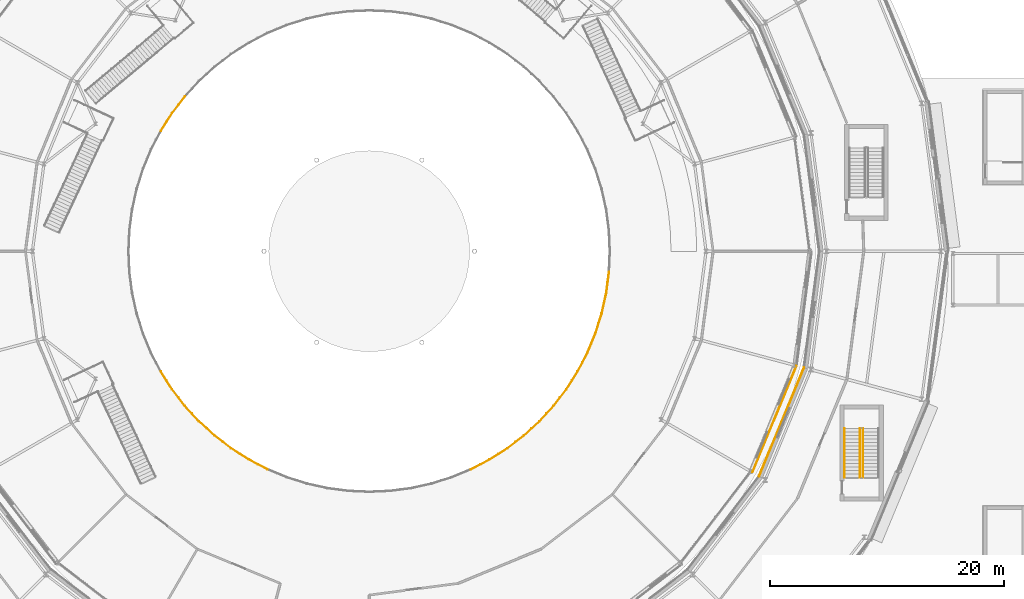
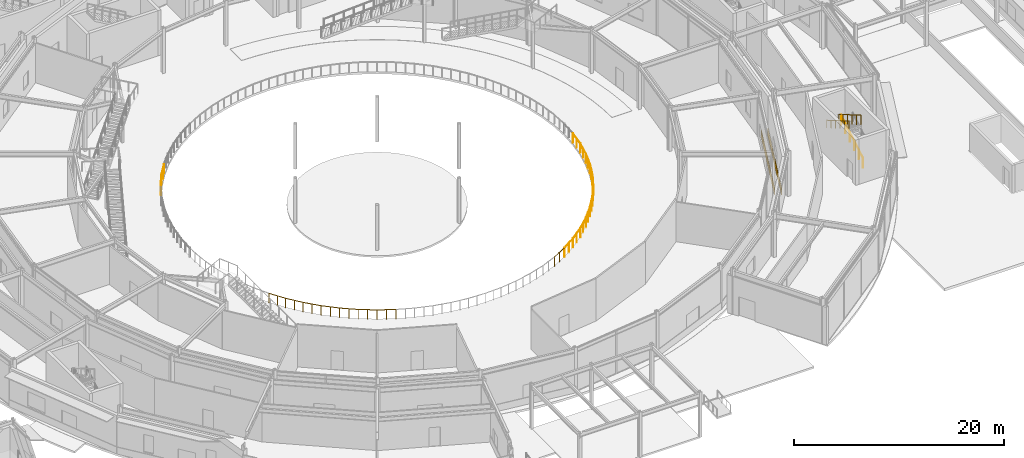
# One storey, part 149 of 168: 24 railings, 2 coverings.
"""IFC4 building model written with IfcOpenShell, lengths in metres."""

import ifcopenshell
import ifcopenshell.guid

model = None  # the IFC model being written
_history = None  # IfcOwnerHistory: only IFC2X3 demands one
_inside = {}  # id of a spatial element -> (the spatial element, [elements in it])
_under = {}  # id of a project, library or spatial element -> (it, [spatial elements below it])
_declared = {}  # id of a project -> (the project, [libraries it declares])
_typed = {}  # id of a type object -> (the type object, [elements of that type])
_made_of = {}  # id of a material, layer set ... -> (it, [elements and type objects made of it])


def new_model(schema):
    """Start an empty IFC model of exactly this schema.

    Asked for "IFC4X3", IfcOpenShell would pick the latest addendum, in which some entities
    have other attributes; the version numbers below select the first issue.
    IFC2X3 requires an IfcOwnerHistory on every rooted entity: one is made here for all.
    """
    global model, _history
    if schema == "IFC4X3":
        model = ifcopenshell.file(schema_version=(4, 3, 0, 0))
    else:
        model = ifcopenshell.file(schema=schema)
    _inside.clear()
    _under.clear()
    _declared.clear()
    _typed.clear()
    _made_of.clear()
    _history = None
    if model.schema == "IFC2X3":
        org = make("IfcOrganization", Name="unknown")
        user = make(
            "IfcPersonAndOrganization",
            ThePerson=make("IfcPerson", FamilyName="unknown"),
            TheOrganization=org,
        )
        app = make(
            "IfcApplication",
            ApplicationDeveloper=org,
            Version="unknown",
            ApplicationFullName="unknown",
            ApplicationIdentifier="unknown",
        )
        _history = make(
            "IfcOwnerHistory",
            OwningUser=user,
            OwningApplication=app,
            ChangeAction="ADDED",
            CreationDate=0,
        )
    return model


def make(cls, **values):
    """One entity of the class cls with the attributes given. An attribute that is None is left unset."""
    return model.create_entity(
        cls, **{name: value for name, value in values.items() if value is not None}
    )


def rooted(cls, **values):
    """An entity with a GlobalId (a new one), such as an element, a storey or a relation."""
    return make(cls, GlobalId=ifcopenshell.guid.new(), OwnerHistory=_history, **values)


def si_unit(unit_type, name, prefix=None):
    """IfcSIUnit, for example si_unit("LENGTHUNIT", "METRE", prefix="MILLI")."""
    return make("IfcSIUnit", UnitType=unit_type, Prefix=prefix, Name=name)


def assignment(units):
    """IfcUnitAssignment: the units of a project."""
    return None if units is None else make("IfcUnitAssignment", Units=units)


def point(xyz):
    """IfcCartesianPoint."""
    return None if xyz is None else make("IfcCartesianPoint", Coordinates=xyz)


def direction(xyz):
    """IfcDirection."""
    return None if xyz is None else make("IfcDirection", DirectionRatios=xyz)


def frame(location, z_axis=None, x_axis=None):
    """IfcAxis2Placement3D, a coordinate frame: its origin and axes. An axis left out is left unset."""
    return make(
        "IfcAxis2Placement3D",
        Location=point(location),
        Axis=direction(z_axis),
        RefDirection=direction(x_axis),
    )


def frame_2d(location, x_axis=None):
    """IfcAxis2Placement2D, a coordinate frame in the plane: its origin and x axis."""
    return make(
        "IfcAxis2Placement2D", Location=point(location), RefDirection=direction(x_axis)
    )


def origin():
    """The frame at (0, 0, 0) with its axes left unset."""
    return frame((0.0, 0.0, 0.0))


def origin_2d():
    """The frame at (0, 0) in the plane with its x axis left unset."""
    return frame_2d((0.0, 0.0))


def place(relative_to, where):
    """IfcLocalPlacement: puts the frame where relative to a parent placement (None: the world)."""
    return make(
        "IfcLocalPlacement", PlacementRelTo=relative_to, RelativePlacement=where
    )


def context(
    kind, dimensions, precision=None, world=None, true_north=None, identifier=None
):
    """IfcGeometricRepresentationContext, for example the 3D "Model" context."""
    return make(
        "IfcGeometricRepresentationContext",
        ContextIdentifier=identifier,
        ContextType=kind,
        CoordinateSpaceDimension=dimensions,
        Precision=precision,
        WorldCoordinateSystem=world,
        TrueNorth=true_north,
    )


def subcontext(parent, identifier, kind, view, scale=None):
    """IfcGeometricRepresentationSubContext, for example "Body" below "Model"."""
    return make(
        "IfcGeometricRepresentationSubContext",
        ContextIdentifier=identifier,
        ContextType=kind,
        ParentContext=parent,
        TargetScale=scale,
        TargetView=view,
    )


def project(units=None, contexts=None):
    """IfcProject with its units and contexts."""
    return rooted(
        "IfcProject",
        Name="project",
        RepresentationContexts=contexts,
        UnitsInContext=assignment(units),
    )


def spatial(cls, under=None, at=None, **own):
    """A site, building, storey or space (cls), placed at a placement, below another one or the project."""
    s = rooted(cls, ObjectPlacement=at, **own)
    if under is not None:
        _under.setdefault(under.id(), (under, []))[1].append(s)
    return s


def profile(cls, at=None, kind="AREA", **sizes):
    """A parametric profile (cls). Its sizes go by their IFC names, for example OverallWidth=200.0."""
    return make(cls, ProfileType=kind, Position=at, **sizes)


def rectangle(**sizes):
    """IfcRectangleProfileDef."""
    return profile("IfcRectangleProfileDef", **sizes)


def circle(**sizes):
    """IfcCircleProfileDef."""
    return profile("IfcCircleProfileDef", **sizes)


def extrude(swept, where, along, depth):
    """IfcExtrudedAreaSolid: the profile swept, set in the frame where, extruded along a direction by depth."""
    return make(
        "IfcExtrudedAreaSolid",
        SweptArea=swept,
        Position=where,
        ExtrudedDirection=direction(along),
        Depth=depth,
    )


def shape(context_of_items, identifier, shape_type, items):
    """IfcShapeRepresentation: the items that make up one representation, for example the "Body"."""
    return make(
        "IfcShapeRepresentation",
        ContextOfItems=context_of_items,
        RepresentationIdentifier=identifier,
        RepresentationType=shape_type,
        Items=items,
    )


def material(Name=None, Category=None):
    """IfcMaterial."""
    return make("IfcMaterial", Name=Name, Category=Category)


def layer(
    of_material, thickness, ventilated=None, Name=None, Category=None, Priority=None
):
    """IfcMaterialLayer: one layer of a wall or slab, of a material (None: an air gap)."""
    return make(
        "IfcMaterialLayer",
        Material=of_material,
        LayerThickness=thickness,
        IsVentilated=ventilated,
        Name=Name,
        Category=Category,
        Priority=Priority,
    )


def layer_set(layers, Name=None):
    """IfcMaterialLayerSet."""
    return make("IfcMaterialLayerSet", MaterialLayers=layers, LayerSetName=Name)


def made_of(thing, what):
    """Note that an element or type object is made of a material, layer set ...; save() writes the relation."""
    if what is not None:
        _made_of.setdefault(what.id(), (what, []))[1].append(thing)
    return thing


def type_object(cls, material=None, **own):
    """A type object (cls), such as IfcWallType, which elements share."""
    return made_of(rooted(cls, **own), material)


def element(
    cls,
    number,
    at=None,
    inside=None,
    cuts=None,
    type_object=None,
    material=None,
    context=None,
    identifier="Body",
    shape_type=None,
    held_by="IfcProductDefinitionShape",
    body=None,
    shapes=None,
    **own,
):
    """One element of the class cls, such as IfcWall. Its Tag is "e" and its number.

    at: its placement. inside: the storey or other place that contains it. cuts: it is an
    opening in that element (IfcRelVoidsElement). A single representation is given by context,
    identifier, shape_type and body (its items); several are given by shapes. held_by: the class
    of the entity that holds the representations. save() writes the other relations.
    """
    e = rooted(cls, Tag="e%d" % number, ObjectPlacement=at, **own)
    if body is not None:
        shapes = [shape(context, identifier, shape_type, body)]
    if shapes is not None:
        e.Representation = make(held_by, Representations=shapes)
    if inside is not None:
        _inside.setdefault(inside.id(), (inside, []))[1].append(e)
    if cuts is not None:
        rooted(
            "IfcRelVoidsElement", RelatingBuildingElement=cuts, RelatedOpeningElement=e
        )
    if type_object is not None:
        _typed.setdefault(type_object.id(), (type_object, []))[1].append(e)
    return made_of(e, material)


def aggregate(whole, parts):
    """IfcRelAggregates: a whole, such as a stair, and the parts it consists of."""
    return rooted("IfcRelAggregates", RelatingObject=whole, RelatedObjects=parts)


def save(model, path):
    """Write the relations noted so far, then the file.

    IfcRelAggregates (storeys below a building ...), IfcRelContainedInSpatialStructure (elements
    in a storey), IfcRelDefinesByType, IfcRelAssociatesMaterial and IfcRelDeclares: one each for
    every whole, place, type object, material and project.
    """
    for whole, parts in _under.values():
        aggregate(whole, parts)
    for where, things in _inside.values():
        rooted(
            "IfcRelContainedInSpatialStructure",
            RelatedElements=things,
            RelatingStructure=where,
        )
    for kind, things in _typed.values():
        rooted("IfcRelDefinesByType", RelatedObjects=things, RelatingType=kind)
    for what, things in _made_of.values():
        rooted("IfcRelAssociatesMaterial", RelatedObjects=things, RelatingMaterial=what)
    for by, libraries in _declared.values():
        rooted("IfcRelDeclares", RelatingContext=by, RelatedDefinitions=libraries)
    model.write(path)


model = new_model("IFC4")

# Units and contexts
model_context = context("Model", 3, precision=1e-05, world=origin(), true_north=direction((0.0, 1.0)))
body_context = subcontext(model_context, "Body", "Model", "MODEL_VIEW")
ifc_project = project(units=[si_unit("LENGTHUNIT", "METRE"), si_unit("AREAUNIT", "SQUARE_METRE"), si_unit("VOLUMEUNIT", "CUBIC_METRE"), si_unit("PLANEANGLEUNIT", "RADIAN"), si_unit("MASSUNIT", "GRAM", prefix="KILO")], contexts=[model_context])

# Site, building, storey
site_placement = place(None, origin())
site = spatial("IfcSite", under=ifc_project, at=site_placement, CompositionType="ELEMENT")
building_placement = place(site_placement, origin())
building = spatial("IfcBuilding", under=site, at=building_placement, Name="Almandine Court Research Institute", CompositionType="ELEMENT")
storey_placement = place(building_placement, origin())
storey = spatial("IfcBuildingStorey", under=building, at=storey_placement, Name="L00", CompositionType="ELEMENT", Elevation=0.0)

# Coverings
ifc_material_1 = material(Name="Honed Andean Red-Buff Sandstone Cladding", Category="masonry")
ifc_layer = layer(ifc_material_1, 0.06494140625)
ifc_layer_set = layer_set([ifc_layer], Name="Honed Andean Red-Buff Sandstone Cladding")
covering_type = type_object("IfcCoveringType", Name="Cov-CLAD-SAND", PredefinedType="CLADDING", material=ifc_layer_set)
covering_1_placement = place(storey_placement, frame((122.25, 41.39892578125, 0.02001953125), z_axis=(0.0, 0.0, 1.0), x_axis=(0.382683432365, 0.923879532511, 0.0)))
element("IfcCovering", 1, at=covering_1_placement, inside=storey, type_object=covering_type, Name="L00 Facade Spandrel Cladding Band 257", PredefinedType="CLADDING", context=body_context, shape_type="SweptSolid", body=[
    extrude(rectangle(XDim=10.080078125, YDim=0.06494140625, at=origin_2d()), origin(), (0.0, 0.0, 1.0), 0.800048828125),
])
covering_2_placement = place(storey_placement, frame((121.64892578125, 41.64794921875, 0.02001953125), z_axis=(0.0, 0.0, 1.0), x_axis=(-0.382683432365, -0.923879532511, 0.0)))
element("IfcCovering", 2, at=covering_2_placement, inside=storey, type_object=covering_type, Name="L00 Facade Spandrel Cladding Band 440", PredefinedType="CLADDING", context=body_context, shape_type="SweptSolid", body=[
    extrude(rectangle(XDim=9.821044921875, YDim=0.06494140625, at=origin_2d()), origin(), (0.0, 0.0, 1.0), 0.800048828125),
])

# Railings
ifc_material_2 = material(Name="Powder-Coated Steel Stair and Atrium Balustrade", Category="steel")
railing_type_1 = type_object("IfcRailingType", Name="Rail-GUARD-INT", PredefinedType="BALUSTRADE", material=ifc_material_2)
railing_1_placement = place(storey_placement, frame((129.22998046875, 36.64990234375, 0.175048828125)))
element("IfcRailing", 3, at=railing_1_placement, inside=storey, type_object=railing_type_1, Name="L00 ST-16 stair guard 1", PredefinedType="BALUSTRADE", context=body_context, shape_type="SweptSolid", body=[
    extrude(circle(Radius=0.02392578125, at=origin_2d()), frame((0.0, 0.0, 1.09619140625), z_axis=(0.0, 0.863793468915, 0.503846050951), x_axis=(-1.0, 0.0, 0.0)), (0.0, 0.0, 1.0), 4.862548828125),
    extrude(circle(Radius=0.02099609375, at=origin_2d()), origin(), (0.0, 0.0, 1.0), 1.072021484375),
    extrude(circle(Radius=0.02099609375, at=origin_2d()), frame((0.0, 0.840087890625, 0.489990234375)), (0.0, 0.0, 1.0), 1.072021484375),
    extrude(circle(Radius=0.02099609375, at=origin_2d()), frame((0.0, 1.68017578125, 0.97998046875)), (0.0, 0.0, 1.0), 1.072021484375),
    extrude(circle(Radius=0.02099609375, at=origin_2d()), frame((0.0, 2.52001953125, 1.469970703125)), (0.0, 0.0, 1.0), 1.072021484375),
    extrude(circle(Radius=0.02099609375, at=origin_2d()), frame((0.0, 3.360107421875, 1.9599609375)), (0.0, 0.0, 1.0), 1.072021484375),
    extrude(circle(Radius=0.02099609375, at=origin_2d()), frame((0.0, 4.2001953125, 2.449951171875)), (0.0, 0.0, 1.0), 1.072021484375),
])
railing_2_placement = place(storey_placement, frame((128.969970703125, 40.85009765625, 2.800048828125)))
element("IfcRailing", 4, at=railing_2_placement, inside=storey, type_object=railing_type_1, Name="L00 ST-16 stair guard 3", PredefinedType="BALUSTRADE", context=body_context, shape_type="SweptSolid", body=[
    extrude(circle(Radius=0.02392578125, at=origin_2d()), frame((0.0, 0.0, 1.09619140625), z_axis=(0.0, -0.863793468915, 0.503846050951), x_axis=(1.0, 0.0, 0.0)), (0.0, 0.0, 1.0), 4.862548828125),
    extrude(circle(Radius=0.02099609375, at=origin_2d()), origin(), (0.0, 0.0, 1.0), 1.072021484375),
    extrude(circle(Radius=0.02099609375, at=origin_2d()), frame((0.0, -0.840087890625, 0.489990234375)), (0.0, 0.0, 1.0), 1.072021484375),
    extrude(circle(Radius=0.02099609375, at=origin_2d()), frame((0.0, -1.68017578125, 0.97998046875)), (0.0, 0.0, 1.0), 1.072021484375),
    extrude(circle(Radius=0.02099609375, at=origin_2d()), frame((0.0, -2.52001953125, 1.469970703125)), (0.0, 0.0, 1.0), 1.072021484375),
    extrude(circle(Radius=0.02099609375, at=origin_2d()), frame((0.0, -3.360107421875, 1.9599609375)), (0.0, 0.0, 1.0), 1.072021484375),
    extrude(circle(Radius=0.02099609375, at=origin_2d()), frame((0.0, -4.2001953125, 2.449951171875)), (0.0, 0.0, 1.0), 1.072021484375),
])
railing_3_placement = place(storey_placement, frame((71.235107421875, 69.22900390625, 0.0)))
element("IfcRailing", 5, at=railing_3_placement, inside=storey, type_object=railing_type_1, Name="L00 Central Hauz Rainwater Court Balustrade 29", PredefinedType="BALUSTRADE", context=body_context, shape_type="SweptSolid", body=[
    extrude(circle(Radius=0.02392578125, at=origin_2d()), frame((0.0, 0.0, 1.09619140625), z_axis=(-0.608599908148, -0.793477253487, 0.0), x_axis=(0.793477253487, -0.608599908148, 0.0)), (0.0, 0.0, 1.0), 1.7958984375),
    extrude(circle(Radius=0.02099609375, at=origin_2d()), origin(), (0.0, 0.0, 1.0), 1.072021484375),
    extrude(circle(Radius=0.02099609375, at=origin_2d()), frame((-0.54638671875, -0.71240234375, 0.0)), (0.0, 0.0, 1.0), 1.072021484375),
    extrude(circle(Radius=0.02099609375, at=origin_2d()), frame((-1.093017578125, -1.425048828125, 0.0)), (0.0, 0.0, 1.0), 1.072021484375),
])
railing_4_placement = place(storey_placement, frame((70.14208984375, 67.803955078125, 0.0)))
element("IfcRailing", 6, at=railing_4_placement, inside=storey, type_object=railing_type_1, Name="L00 Central Hauz Rainwater Court Balustrade 30", PredefinedType="BALUSTRADE", context=body_context, shape_type="SweptSolid", body=[
    extrude(circle(Radius=0.02392578125, at=origin_2d()), frame((0.0, 0.0, 1.09619140625), z_axis=(-0.537544043976, -0.843235673336, 0.0), x_axis=(0.843235673336, -0.537544043976, 0.0)), (0.0, 0.0, 1.0), 1.79541015625),
    extrude(circle(Radius=0.02099609375, at=origin_2d()), origin(), (0.0, 0.0, 1.0), 1.072021484375),
    extrude(circle(Radius=0.02099609375, at=origin_2d()), frame((-0.482421875, -0.7568359375, 0.0)), (0.0, 0.0, 1.0), 1.072021484375),
    extrude(circle(Radius=0.02099609375, at=origin_2d()), frame((-0.965087890625, -1.513916015625, 0.0)), (0.0, 0.0, 1.0), 1.072021484375),
])
railing_5_placement = place(storey_placement, frame((69.177001953125, 45.7099609375, 0.0)))
element("IfcRailing", 7, at=railing_5_placement, inside=storey, type_object=railing_type_1, Name="L00 Central Hauz Rainwater Court Balustrade 43", PredefinedType="BALUSTRADE", context=body_context, shape_type="SweptSolid", body=[
    extrude(circle(Radius=0.02392578125, at=origin_2d()), frame((0.0, 0.0, 1.09619140625), z_axis=(0.537544043976, -0.843235673336, 0.0), x_axis=(0.843235673336, 0.537544043976, 0.0)), (0.0, 0.0, 1.0), 1.79541015625),
    extrude(circle(Radius=0.02099609375, at=origin_2d()), origin(), (0.0, 0.0, 1.0), 1.072021484375),
    extrude(circle(Radius=0.02099609375, at=origin_2d()), frame((0.482421875, -0.7568359375, 0.0)), (0.0, 0.0, 1.0), 1.072021484375),
    extrude(circle(Radius=0.02099609375, at=origin_2d()), frame((0.965087890625, -1.513916015625, 0.0)), (0.0, 0.0, 1.0), 1.072021484375),
])
railing_6_placement = place(storey_placement, frame((70.14208984375, 44.196044921875, 0.0)))
element("IfcRailing", 8, at=railing_6_placement, inside=storey, type_object=railing_type_1, Name="L00 Central Hauz Rainwater Court Balustrade 44", PredefinedType="BALUSTRADE", context=body_context, shape_type="SweptSolid", body=[
    extrude(circle(Radius=0.02392578125, at=origin_2d()), frame((0.0, 0.0, 1.09619140625), z_axis=(0.608599908148, -0.793477253487, 0.0), x_axis=(0.793477253487, 0.608599908148, 0.0)), (0.0, 0.0, 1.0), 1.7958984375),
    extrude(circle(Radius=0.02099609375, at=origin_2d()), origin(), (0.0, 0.0, 1.0), 1.072021484375),
    extrude(circle(Radius=0.02099609375, at=origin_2d()), frame((0.54638671875, -0.71240234375, 0.0)), (0.0, 0.0, 1.0), 1.072021484375),
    extrude(circle(Radius=0.02099609375, at=origin_2d()), frame((1.093017578125, -1.425048828125, 0.0)), (0.0, 0.0, 1.0), 1.072021484375),
])
railing_7_placement = place(storey_placement, frame((71.235107421875, 42.77099609375, 0.0)))
element("IfcRailing", 9, at=railing_7_placement, inside=storey, type_object=railing_type_1, Name="L00 Central Hauz Rainwater Court Balustrade 45", PredefinedType="BALUSTRADE", context=body_context, shape_type="SweptSolid", body=[
    extrude(circle(Radius=0.02392578125, at=origin_2d()), frame((0.0, 0.0, 1.09619140625), z_axis=(0.675767744436, -0.737114614955, 0.0), x_axis=(0.737114614955, 0.675767744436, 0.0)), (0.0, 0.0, 1.0), 1.794921875),
    extrude(circle(Radius=0.02099609375, at=origin_2d()), origin(), (0.0, 0.0, 1.0), 1.072021484375),
    extrude(circle(Radius=0.02099609375, at=origin_2d()), frame((0.6064453125, -0.66162109375, 0.0)), (0.0, 0.0, 1.0), 1.072021484375),
    extrude(circle(Radius=0.02099609375, at=origin_2d()), frame((1.212890625, -1.322998046875, 0.0)), (0.0, 0.0, 1.0), 1.072021484375),
])
railing_8_placement = place(storey_placement, frame((72.447998046875, 41.447998046875, 0.0)))
element("IfcRailing", 10, at=railing_8_placement, inside=storey, type_object=railing_type_1, Name="L00 Central Hauz Rainwater Court Balustrade 46", PredefinedType="BALUSTRADE", context=body_context, shape_type="SweptSolid", body=[
    extrude(circle(Radius=0.02392578125, at=origin_2d()), frame((0.0, 0.0, 1.09619140625), z_axis=(0.737114614955, -0.675767744436, 0.0), x_axis=(0.675767744436, 0.737114614955, 0.0)), (0.0, 0.0, 1.0), 1.794921875),
    extrude(circle(Radius=0.02099609375, at=origin_2d()), origin(), (0.0, 0.0, 1.0), 1.072021484375),
    extrude(circle(Radius=0.02099609375, at=origin_2d()), frame((0.66162109375, -0.6064453125, 0.0)), (0.0, 0.0, 1.0), 1.072021484375),
    extrude(circle(Radius=0.02099609375, at=origin_2d()), frame((1.322998046875, -1.212890625, 0.0)), (0.0, 0.0, 1.0), 1.072021484375),
])
railing_9_placement = place(storey_placement, frame((73.77099609375, 40.235107421875, 0.0)))
element("IfcRailing", 11, at=railing_9_placement, inside=storey, type_object=railing_type_1, Name="L00 Central Hauz Rainwater Court Balustrade 47", PredefinedType="BALUSTRADE", context=body_context, shape_type="SweptSolid", body=[
    extrude(circle(Radius=0.02392578125, at=origin_2d()), frame((0.0, 0.0, 1.09619140625), z_axis=(0.793477253487, -0.608599908148, 0.0), x_axis=(0.608599908148, 0.793477253487, 0.0)), (0.0, 0.0, 1.0), 1.7958984375),
    extrude(circle(Radius=0.02099609375, at=origin_2d()), origin(), (0.0, 0.0, 1.0), 1.072021484375),
    extrude(circle(Radius=0.02099609375, at=origin_2d()), frame((0.71240234375, -0.54638671875, 0.0)), (0.0, 0.0, 1.0), 1.072021484375),
    extrude(circle(Radius=0.02099609375, at=origin_2d()), frame((1.425048828125, -1.093017578125, 0.0)), (0.0, 0.0, 1.0), 1.072021484375),
])
railing_10_placement = place(storey_placement, frame((75.196044921875, 39.14208984375, 0.0)))
element("IfcRailing", 12, at=railing_10_placement, inside=storey, type_object=railing_type_1, Name="L00 Central Hauz Rainwater Court Balustrade 48", PredefinedType="BALUSTRADE", context=body_context, shape_type="SweptSolid", body=[
    extrude(circle(Radius=0.02392578125, at=origin_2d()), frame((0.0, 0.0, 1.09619140625), z_axis=(0.843235673336, -0.537544043976, 0.0), x_axis=(0.537544043976, 0.843235673336, 0.0)), (0.0, 0.0, 1.0), 1.79541015625),
    extrude(circle(Radius=0.02099609375, at=origin_2d()), origin(), (0.0, 0.0, 1.0), 1.072021484375),
    extrude(circle(Radius=0.02099609375, at=origin_2d()), frame((0.7568359375, -0.482421875, 0.0)), (0.0, 0.0, 1.0), 1.072021484375),
    extrude(circle(Radius=0.02099609375, at=origin_2d()), frame((1.513916015625, -0.965087890625, 0.0)), (0.0, 0.0, 1.0), 1.072021484375),
])
railing_11_placement = place(storey_placement, frame((76.7099609375, 38.177001953125, 0.0)))
element("IfcRailing", 13, at=railing_11_placement, inside=storey, type_object=railing_type_1, Name="L00 Central Hauz Rainwater Court Balustrade 49", PredefinedType="BALUSTRADE", context=body_context, shape_type="SweptSolid", body=[
    extrude(circle(Radius=0.02392578125, at=origin_2d()), frame((0.0, 0.0, 1.09619140625), z_axis=(0.887049806538, -0.461673738391, 0.0), x_axis=(0.461673738391, 0.887049806538, 0.0)), (0.0, 0.0, 1.0), 1.7958984375),
    extrude(circle(Radius=0.02099609375, at=origin_2d()), origin(), (0.0, 0.0, 1.0), 1.072021484375),
    extrude(circle(Radius=0.02099609375, at=origin_2d()), frame((0.79638671875, -0.41455078125, 0.0)), (0.0, 0.0, 1.0), 1.072021484375),
    extrude(circle(Radius=0.02099609375, at=origin_2d()), frame((1.593017578125, -0.8291015625, 0.0)), (0.0, 0.0, 1.0), 1.072021484375),
])
railing_12_placement = place(storey_placement, frame((95.697021484375, 37.347900390625, 0.0)))
element("IfcRailing", 14, at=railing_12_placement, inside=storey, type_object=railing_type_1, Name="L00 Central Hauz Rainwater Court Balustrade 60", PredefinedType="BALUSTRADE", context=body_context, shape_type="SweptSolid", body=[
    extrude(circle(Radius=0.02392578125, at=origin_2d()), frame((0.0, 0.0, 1.09619140625), z_axis=(0.887049806538, 0.461673738391, 0.0), x_axis=(-0.461673738391, 0.887049806538, 0.0)), (0.0, 0.0, 1.0), 1.7958984375),
    extrude(circle(Radius=0.02099609375, at=origin_2d()), origin(), (0.0, 0.0, 1.0), 1.072021484375),
    extrude(circle(Radius=0.02099609375, at=origin_2d()), frame((0.79638671875, 0.41455078125, 0.0)), (0.0, 0.0, 1.0), 1.072021484375),
    extrude(circle(Radius=0.02099609375, at=origin_2d()), frame((1.593017578125, 0.8291015625, 0.0)), (0.0, 0.0, 1.0), 1.072021484375),
])
railing_13_placement = place(storey_placement, frame((97.2900390625, 38.177001953125, 0.0)))
element("IfcRailing", 15, at=railing_13_placement, inside=storey, type_object=railing_type_1, Name="L00 Central Hauz Rainwater Court Balustrade 61", PredefinedType="BALUSTRADE", context=body_context, shape_type="SweptSolid", body=[
    extrude(circle(Radius=0.02392578125, at=origin_2d()), frame((0.0, 0.0, 1.09619140625), z_axis=(0.843235673336, 0.537544043976, 0.0), x_axis=(-0.537544043976, 0.843235673336, 0.0)), (0.0, 0.0, 1.0), 1.79541015625),
    extrude(circle(Radius=0.02099609375, at=origin_2d()), origin(), (0.0, 0.0, 1.0), 1.072021484375),
    extrude(circle(Radius=0.02099609375, at=origin_2d()), frame((0.7568359375, 0.482421875, 0.0)), (0.0, 0.0, 1.0), 1.072021484375),
    extrude(circle(Radius=0.02099609375, at=origin_2d()), frame((1.513916015625, 0.965087890625, 0.0)), (0.0, 0.0, 1.0), 1.072021484375),
])
railing_14_placement = place(storey_placement, frame((98.803955078125, 39.14208984375, 0.0)))
element("IfcRailing", 16, at=railing_14_placement, inside=storey, type_object=railing_type_1, Name="L00 Central Hauz Rainwater Court Balustrade 62", PredefinedType="BALUSTRADE", context=body_context, shape_type="SweptSolid", body=[
    extrude(circle(Radius=0.02392578125, at=origin_2d()), frame((0.0, 0.0, 1.09619140625), z_axis=(0.793477253487, 0.608599908148, 0.0), x_axis=(-0.608599908148, 0.793477253487, 0.0)), (0.0, 0.0, 1.0), 1.7958984375),
    extrude(circle(Radius=0.02099609375, at=origin_2d()), origin(), (0.0, 0.0, 1.0), 1.072021484375),
    extrude(circle(Radius=0.02099609375, at=origin_2d()), frame((0.71240234375, 0.54638671875, 0.0)), (0.0, 0.0, 1.0), 1.072021484375),
    extrude(circle(Radius=0.02099609375, at=origin_2d()), frame((1.425048828125, 1.093017578125, 0.0)), (0.0, 0.0, 1.0), 1.072021484375),
])
railing_15_placement = place(storey_placement, frame((100.22900390625, 40.235107421875, 0.0)))
element("IfcRailing", 17, at=railing_15_placement, inside=storey, type_object=railing_type_1, Name="L00 Central Hauz Rainwater Court Balustrade 63", PredefinedType="BALUSTRADE", context=body_context, shape_type="SweptSolid", body=[
    extrude(circle(Radius=0.02392578125, at=origin_2d()), frame((0.0, 0.0, 1.09619140625), z_axis=(0.737114614955, 0.675767744436, 0.0), x_axis=(-0.675767744436, 0.737114614955, 0.0)), (0.0, 0.0, 1.0), 1.794921875),
    extrude(circle(Radius=0.02099609375, at=origin_2d()), origin(), (0.0, 0.0, 1.0), 1.072021484375),
    extrude(circle(Radius=0.02099609375, at=origin_2d()), frame((0.66162109375, 0.6064453125, 0.0)), (0.0, 0.0, 1.0), 1.072021484375),
    extrude(circle(Radius=0.02099609375, at=origin_2d()), frame((1.322998046875, 1.212890625, 0.0)), (0.0, 0.0, 1.0), 1.072021484375),
])
railing_16_placement = place(storey_placement, frame((101.552001953125, 41.447998046875, 0.0)))
element("IfcRailing", 18, at=railing_16_placement, inside=storey, type_object=railing_type_1, Name="L00 Central Hauz Rainwater Court Balustrade 64", PredefinedType="BALUSTRADE", context=body_context, shape_type="SweptSolid", body=[
    extrude(circle(Radius=0.02392578125, at=origin_2d()), frame((0.0, 0.0, 1.09619140625), z_axis=(0.675767744436, 0.737114614955, 0.0), x_axis=(-0.737114614955, 0.675767744436, 0.0)), (0.0, 0.0, 1.0), 1.794921875),
    extrude(circle(Radius=0.02099609375, at=origin_2d()), origin(), (0.0, 0.0, 1.0), 1.072021484375),
    extrude(circle(Radius=0.02099609375, at=origin_2d()), frame((0.6064453125, 0.66162109375, 0.0)), (0.0, 0.0, 1.0), 1.072021484375),
    extrude(circle(Radius=0.02099609375, at=origin_2d()), frame((1.212890625, 1.322998046875, 0.0)), (0.0, 0.0, 1.0), 1.072021484375),
])
railing_17_placement = place(storey_placement, frame((102.764892578125, 42.77099609375, 0.0)))
element("IfcRailing", 19, at=railing_17_placement, inside=storey, type_object=railing_type_1, Name="L00 Central Hauz Rainwater Court Balustrade 65", PredefinedType="BALUSTRADE", context=body_context, shape_type="SweptSolid", body=[
    extrude(circle(Radius=0.02392578125, at=origin_2d()), frame((0.0, 0.0, 1.09619140625), z_axis=(0.608599908148, 0.793477253487, 0.0), x_axis=(-0.793477253487, 0.608599908148, 0.0)), (0.0, 0.0, 1.0), 1.7958984375),
    extrude(circle(Radius=0.02099609375, at=origin_2d()), origin(), (0.0, 0.0, 1.0), 1.072021484375),
    extrude(circle(Radius=0.02099609375, at=origin_2d()), frame((0.54638671875, 0.71240234375, 0.0)), (0.0, 0.0, 1.0), 1.072021484375),
    extrude(circle(Radius=0.02099609375, at=origin_2d()), frame((1.093017578125, 1.425048828125, 0.0)), (0.0, 0.0, 1.0), 1.072021484375),
])
railing_18_placement = place(storey_placement, frame((103.85791015625, 44.196044921875, 0.0)))
element("IfcRailing", 20, at=railing_18_placement, inside=storey, type_object=railing_type_1, Name="L00 Central Hauz Rainwater Court Balustrade 66", PredefinedType="BALUSTRADE", context=body_context, shape_type="SweptSolid", body=[
    extrude(circle(Radius=0.02392578125, at=origin_2d()), frame((0.0, 0.0, 1.09619140625), z_axis=(0.537544043976, 0.843235673336, 0.0), x_axis=(-0.843235673336, 0.537544043976, 0.0)), (0.0, 0.0, 1.0), 1.79541015625),
    extrude(circle(Radius=0.02099609375, at=origin_2d()), origin(), (0.0, 0.0, 1.0), 1.072021484375),
    extrude(circle(Radius=0.02099609375, at=origin_2d()), frame((0.482421875, 0.7568359375, 0.0)), (0.0, 0.0, 1.0), 1.072021484375),
    extrude(circle(Radius=0.02099609375, at=origin_2d()), frame((0.965087890625, 1.513916015625, 0.0)), (0.0, 0.0, 1.0), 1.072021484375),
])
railing_19_placement = place(storey_placement, frame((104.822998046875, 45.7099609375, 0.0)))
element("IfcRailing", 21, at=railing_19_placement, inside=storey, type_object=railing_type_1, Name="L00 Central Hauz Rainwater Court Balustrade 67", PredefinedType="BALUSTRADE", context=body_context, shape_type="SweptSolid", body=[
    extrude(circle(Radius=0.02392578125, at=origin_2d()), frame((0.0, 0.0, 1.09619140625), z_axis=(0.461673738391, 0.887049806538, 0.0), x_axis=(-0.887049806538, 0.461673738391, 0.0)), (0.0, 0.0, 1.0), 1.7958984375),
    extrude(circle(Radius=0.02099609375, at=origin_2d()), origin(), (0.0, 0.0, 1.0), 1.072021484375),
    extrude(circle(Radius=0.02099609375, at=origin_2d()), frame((0.41455078125, 0.79638671875, 0.0)), (0.0, 0.0, 1.0), 1.072021484375),
    extrude(circle(Radius=0.02099609375, at=origin_2d()), frame((0.8291015625, 1.593017578125, 0.0)), (0.0, 0.0, 1.0), 1.072021484375),
])
railing_20_placement = place(storey_placement, frame((105.652099609375, 47.302978515625, 0.0)))
element("IfcRailing", 22, at=railing_20_placement, inside=storey, type_object=railing_type_1, Name="L00 Central Hauz Rainwater Court Balustrade 68", PredefinedType="BALUSTRADE", context=body_context, shape_type="SweptSolid", body=[
    extrude(circle(Radius=0.02392578125, at=origin_2d()), frame((0.0, 0.0, 1.09619140625), z_axis=(0.382808333433, 0.923827786903, 0.0), x_axis=(-0.923827786903, 0.382808333433, 0.0)), (0.0, 0.0, 1.0), 1.794677734375),
    extrude(circle(Radius=0.02099609375, at=origin_2d()), origin(), (0.0, 0.0, 1.0), 1.072021484375),
    extrude(circle(Radius=0.02099609375, at=origin_2d()), frame((0.343505859375, 0.8291015625, 0.0)), (0.0, 0.0, 1.0), 1.072021484375),
    extrude(circle(Radius=0.02099609375, at=origin_2d()), frame((0.68701171875, 1.657958984375, 0.0)), (0.0, 0.0, 1.0), 1.072021484375),
])
railing_21_placement = place(storey_placement, frame((106.339111328125, 48.9609375, 0.0)))
element("IfcRailing", 23, at=railing_21_placement, inside=storey, type_object=railing_type_1, Name="L00 Central Hauz Rainwater Court Balustrade 69", PredefinedType="BALUSTRADE", context=body_context, shape_type="SweptSolid", body=[
    extrude(circle(Radius=0.02392578125, at=origin_2d()), frame((0.0, 0.0, 1.09619140625), z_axis=(0.300526328994, 0.953773519019, 0.0), x_axis=(-0.953773519019, 0.300526328994, 0.0)), (0.0, 0.0, 1.0), 1.796142578125),
    extrude(circle(Radius=0.02099609375, at=origin_2d()), origin(), (0.0, 0.0, 1.0), 1.072021484375),
    extrude(circle(Radius=0.02099609375, at=origin_2d()), frame((0.27001953125, 0.8564453125, 0.0)), (0.0, 0.0, 1.0), 1.072021484375),
    extrude(circle(Radius=0.02099609375, at=origin_2d()), frame((0.539794921875, 1.713134765625, 0.0)), (0.0, 0.0, 1.0), 1.072021484375),
])
railing_22_placement = place(storey_placement, frame((106.87890625, 50.674072265625, 0.0)))
element("IfcRailing", 24, at=railing_22_placement, inside=storey, type_object=railing_type_1, Name="L00 Central Hauz Rainwater Court Balustrade 70", PredefinedType="BALUSTRADE", context=body_context, shape_type="SweptSolid", body=[
    extrude(circle(Radius=0.02392578125, at=origin_2d()), frame((0.0, 0.0, 1.09619140625), z_axis=(0.21632537736, 0.976321325748, 0.0), x_axis=(-0.976321325748, 0.21632537736, 0.0)), (0.0, 0.0, 1.0), 1.79443359375),
    extrude(circle(Radius=0.02099609375, at=origin_2d()), origin(), (0.0, 0.0, 1.0), 1.072021484375),
    extrude(circle(Radius=0.02099609375, at=origin_2d()), frame((0.194091796875, 0.8759765625, 0.0)), (0.0, 0.0, 1.0), 1.072021484375),
    extrude(circle(Radius=0.02099609375, at=origin_2d()), frame((0.38818359375, 1.751953125, 0.0)), (0.0, 0.0, 1.0), 1.072021484375),
])
railing_23_placement = place(storey_placement, frame((107.26708984375, 52.426025390625, 0.0)))
element("IfcRailing", 25, at=railing_23_placement, inside=storey, type_object=railing_type_1, Name="L00 Central Hauz Rainwater Court Balustrade 71", PredefinedType="BALUSTRADE", context=body_context, shape_type="SweptSolid", body=[
    extrude(circle(Radius=0.02392578125, at=origin_2d()), frame((0.0, 0.0, 1.09619140625), z_axis=(0.130809765799, 0.991407486945, 0.0), x_axis=(-0.991407486945, 0.130809765799, 0.0)), (0.0, 0.0, 1.0), 1.79541015625),
    extrude(circle(Radius=0.02099609375, at=origin_2d()), origin(), (0.0, 0.0, 1.0), 1.072021484375),
    extrude(circle(Radius=0.02099609375, at=origin_2d()), frame((0.117431640625, 0.89013671875, 0.0)), (0.0, 0.0, 1.0), 1.072021484375),
    extrude(circle(Radius=0.02099609375, at=origin_2d()), frame((0.23486328125, 1.780029296875, 0.0)), (0.0, 0.0, 1.0), 1.072021484375),
])
ifc_material_3 = material(Name="Brushed Stainless Steel Wall Handrail", Category="steel")
railing_type_2 = type_object("IfcRailingType", Name="Rail-HAND-INT", PredefinedType="HANDRAIL", material=ifc_material_3)
railing_24_placement = place(storey_placement, frame((127.64990234375, 40.85009765625, 2.800048828125)))
element("IfcRailing", 26, at=railing_24_placement, inside=storey, type_object=railing_type_2, Name="L00 ST-16 stair handrail 2", PredefinedType="HANDRAIL", context=body_context, shape_type="SweptSolid", body=[
    extrude(circle(Radius=0.02392578125, at=origin_2d()), frame((0.0, 0.0, 0.8759765625), z_axis=(0.0, -0.863793468915, 0.503846050951), x_axis=(1.0, 0.0, 0.0)), (0.0, 0.0, 1.0), 4.862548828125),
    extrude(circle(Radius=0.02099609375, at=origin_2d()), origin(), (0.0, 0.0, 1.0), 0.851806640625),
    extrude(circle(Radius=0.02099609375, at=origin_2d()), frame((0.0, -0.840087890625, 0.489990234375)), (0.0, 0.0, 1.0), 0.851806640625),
    extrude(circle(Radius=0.02099609375, at=origin_2d()), frame((0.0, -1.68017578125, 0.97998046875)), (0.0, 0.0, 1.0), 0.851806640625),
    extrude(circle(Radius=0.02099609375, at=origin_2d()), frame((0.0, -2.52001953125, 1.469970703125)), (0.0, 0.0, 1.0), 0.851806640625),
    extrude(circle(Radius=0.02099609375, at=origin_2d()), frame((0.0, -3.360107421875, 1.9599609375)), (0.0, 0.0, 1.0), 0.851806640625),
    extrude(circle(Radius=0.02099609375, at=origin_2d()), frame((0.0, -4.2001953125, 2.449951171875)), (0.0, 0.0, 1.0), 0.851806640625),
])

save(model, "model.ifc")
